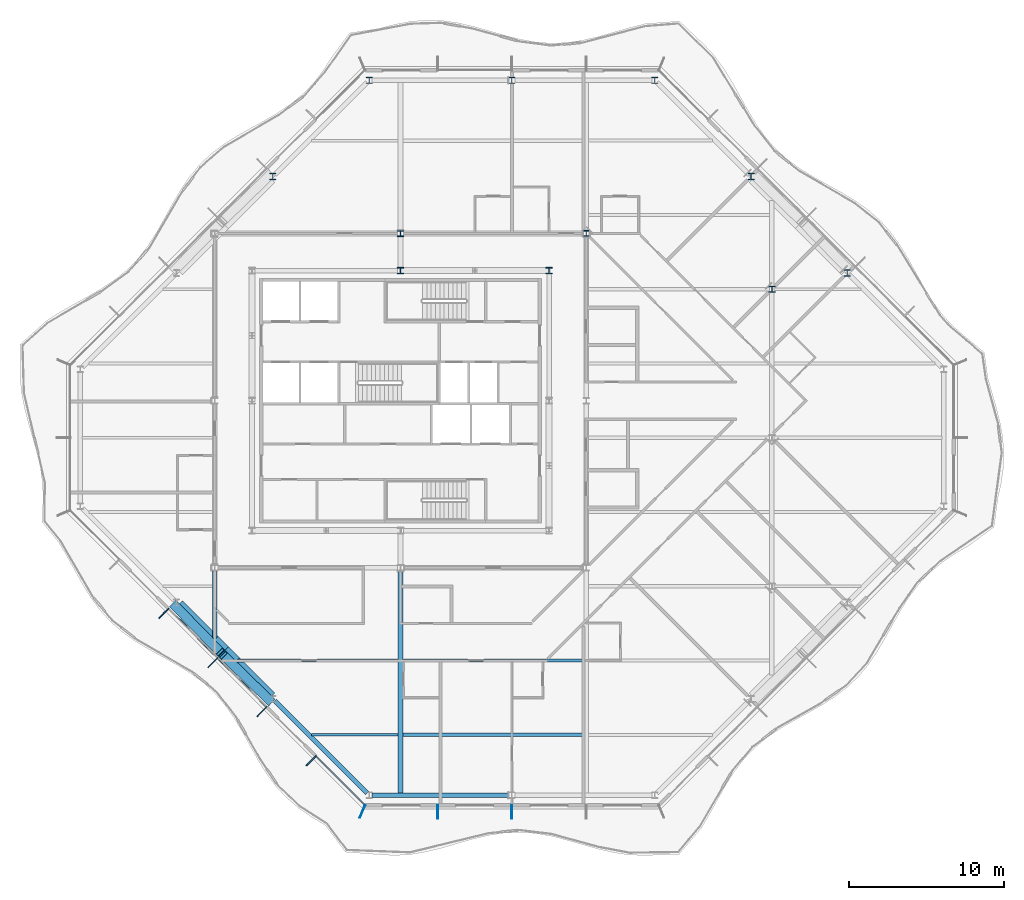
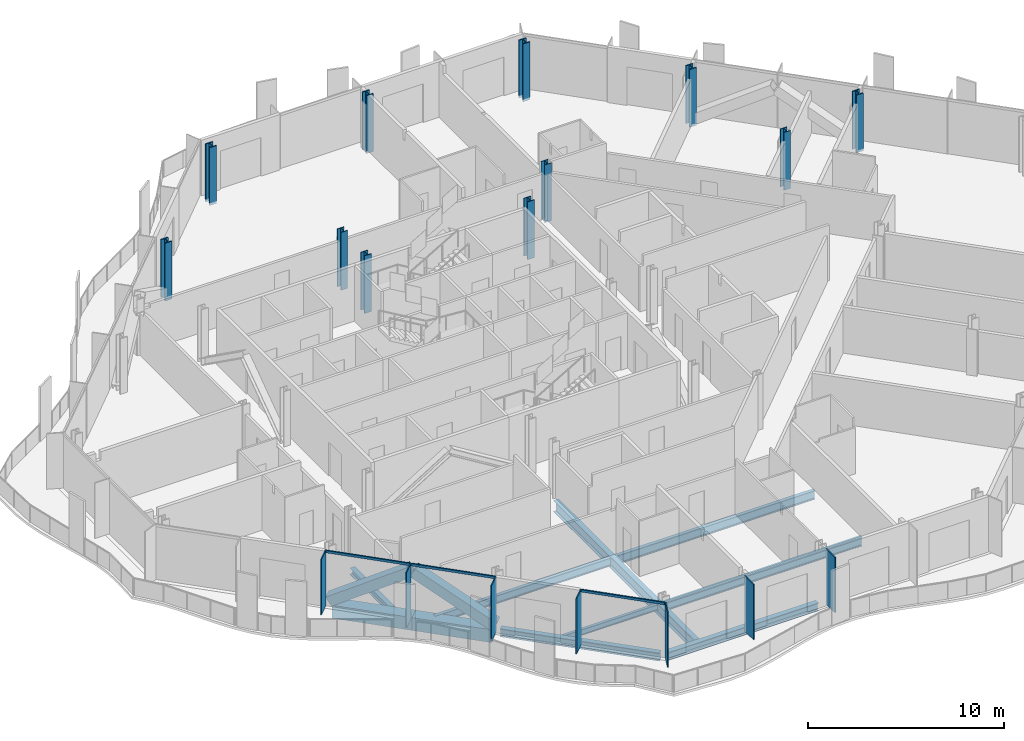
# One storey, part 2 of 17: 12 members, 11 columns, 10 beams, 2 elements without a shape of their own.
"""IFC4 building model written with IfcOpenShell, lengths in metres."""

from ifc_helpers import new_model, si_unit, direction, frame, origin, origin_2d, place, context, subcontext, project, spatial, rectangle, hollow_rectangle, i_section, extrude, material, material_profile, profile_set, type_object, element, aggregate, save


model = new_model("IFC4")

# Units and contexts
model_context = context("Model", 3, precision=1e-05, world=origin(), true_north=direction((0.0, 1.0)))
body_context = subcontext(model_context, "Body", "Model", "MODEL_VIEW")
ifc_project = project(units=[si_unit("LENGTHUNIT", "METRE"), si_unit("AREAUNIT", "SQUARE_METRE"), si_unit("VOLUMEUNIT", "CUBIC_METRE"), si_unit("PLANEANGLEUNIT", "RADIAN"), si_unit("MASSUNIT", "GRAM", prefix="KILO")], contexts=[model_context])

# Site, building, storey
site_placement = place(None, origin())
site = spatial("IfcSite", under=ifc_project, at=site_placement, CompositionType="ELEMENT")
building_placement = place(site_placement, origin())
building = spatial("IfcBuilding", under=site, at=building_placement, Name="Cairn Pilgrim Tower", CompositionType="ELEMENT")
storey_placement = place(building_placement, frame((0.0, 0.0, 225.0)))
storey = spatial("IfcBuildingStorey", under=building, at=storey_placement, Name="L57", CompositionType="ELEMENT", Elevation=225.0)

# Columns
ifc_material_1 = material(Name="Structural steel S355J2", Category="steel")
ifc_material_profile_1 = material_profile(ifc_material_1, i_section(OverallWidth=0.39892578125, OverallDepth=0.39306640625, WebThickness=0.022705078125, FlangeThickness=0.03662109375, FilletRadius=0.014892578125, at=origin_2d()), Name="HD 400x287")
ifc_profile_set_1 = profile_set([ifc_material_profile_1], Name="Structural steel S355J2")
column_type_1 = type_object("IfcColumnType", Name="HD 400x287", PredefinedType="COLUMN", material=ifc_profile_set_1)
for number, where, z_axis, x_axis, name in (
    (1, (7.199951171875, 13.199951171875, -0.14990234375), (0.0, 0.0, 1.0), (1.0, 0.0, 0.0), "IC-7"),
    (2, (19.199951171875, 13.199951171875, -0.14990234375), (0.0, 0.0, 1.0), (1.0, 0.0, 0.0), "IC-8"),
    (3, (31.199951171875, 9.60009765625, -0.14990234375), (0.0, 0.0, 1.0), (1.0, 0.0, 0.0), "WC-WE+2"),
):
    element("IfcColumn", number, at=place(storey_placement, frame(where, z_axis=z_axis, x_axis=x_axis)), inside=storey, type_object=column_type_1, Name=name, PredefinedType="COLUMN", context=body_context, shape_type="SweptSolid", body=[
        extrude(i_section(OverallWidth=0.39892578125, OverallDepth=0.39306640625, WebThickness=0.022705078125, FlangeThickness=0.03662109375, FilletRadius=0.014892578125, at=origin_2d()), origin(), (0.0, 0.0, 1.0), 3.599853515625),
    ])
ifc_material_2 = material(Name="Structural steel S460M", Category="steel")
ifc_material_profile_2 = material_profile(ifc_material_2, i_section(OverallWidth=0.404052734375, OverallDepth=0.406982421875, WebThickness=0.027099609375, FlangeThickness=0.043701171875, FilletRadius=0.014892578125, at=origin_2d()), Name="HD 400x347")
ifc_profile_set_2 = profile_set([ifc_material_profile_2], Name="Structural steel S460M")
column_type_2 = type_object("IfcColumnType", Name="HD 400x347", PredefinedType="COLUMN", material=ifc_profile_set_2)
for number, where, z_axis, x_axis, name in (
    (4, (7.199951171875, 10.800048828125, -0.14990234375), (0.0, 0.0, 1.0), (1.0, 0.0, 0.0), "KC-7"),
    (5, (16.800048828125, 10.800048828125, -0.14990234375), (0.0, 0.0, 1.0), (1.0, 0.0, 0.0), "KC-8"),
):
    element("IfcColumn", number, at=place(storey_placement, frame(where, z_axis=z_axis, x_axis=x_axis)), inside=storey, type_object=column_type_2, Name=name, PredefinedType="COLUMN", context=body_context, shape_type="SweptSolid", body=[
        extrude(i_section(OverallWidth=0.404052734375, OverallDepth=0.406982421875, WebThickness=0.027099609375, FlangeThickness=0.043701171875, FilletRadius=0.014892578125, at=origin_2d()), origin(), (0.0, 0.0, 1.0), 3.599853515625),
    ])
ifc_material_profile_3 = material_profile(ifc_material_2, i_section(OverallWidth=0.416015625, OverallDepth=0.446044921875, WebThickness=0.0390625, FlangeThickness=0.062744140625, FilletRadius=0.014892578125, at=origin_2d()), Name="HD 400x509")
ifc_profile_set_3 = profile_set([ifc_material_profile_3], Name="Structural steel S460M")
column_type_3 = type_object("IfcColumnType", Name="HD 400x509", PredefinedType="COLUMN", material=ifc_profile_set_3)
for number, where, z_axis, x_axis, name in (
    (6, (36.07568359375, 10.651611328125, -0.14990234375), (0.0, 0.0, 1.0), (1.0, 0.0, 0.0), "PC3-NE2"),
    (7, (29.8515625, 16.875732421875, -0.14990234375), (0.0, 0.0, 1.0), (1.0, 0.0, 0.0), "PC3-NE3"),
    (8, (23.627197265625, 23.10009765625, -0.14990234375), (0.0, 0.0, 1.0), (1.0, 0.0, 0.0), "PC3-N1"),
    (9, (14.39990234375, 23.10009765625, -0.14990234375), (0.0, 0.0, 1.0), (1.0, 0.0, 0.0), "PC3-N2"),
    (10, (5.1728515625, 23.10009765625, -0.14990234375), (0.0, 0.0, 1.0), (1.0, 0.0, 0.0), "PC3-NW1"),
    (11, (-1.051513671875, 16.875732421875, -0.14990234375), (0.0, 0.0, 1.0), (1.0, 0.0, 0.0), "PC3-NW2"),
):
    element("IfcColumn", number, at=place(storey_placement, frame(where, z_axis=z_axis, x_axis=x_axis)), inside=storey, type_object=column_type_3, Name=name, PredefinedType="COLUMN", context=body_context, shape_type="SweptSolid", body=[
        extrude(i_section(OverallWidth=0.416015625, OverallDepth=0.446044921875, WebThickness=0.0390625, FlangeThickness=0.062744140625, FilletRadius=0.014892578125, at=origin_2d()), origin(), (0.0, 0.0, 1.0), 3.599853515625),
    ])

# Members
ifc_material_profile_4 = material_profile(ifc_material_2, hollow_rectangle(XDim=0.60009765625, YDim=0.60009765625, WallThickness=0.034912109375, at=origin_2d()), Name="BOX 600x600x35")
ifc_profile_set_4 = profile_set([ifc_material_profile_4], Name="Structural steel S460M")
member_type_1 = type_object("IfcMemberType", Name="BOX 600x600x35 BRACE", PredefinedType="BRACE", material=ifc_profile_set_4)
member_1_placement = place(storey_placement, frame((-7.4013671875, -10.823974609375, 0.14990234375), z_axis=(0.59476326853, -0.609993709431, 0.523607036681), x_axis=(0.715988756584, 0.698111810848, 0.0)))
element("IfcMember", 12, at=member_1_placement, inside=storey, type_object=member_type_1, Name="XB-SW2-SW3-1", PredefinedType="BRACE", context=body_context, shape_type="SweptSolid", body=[
    extrude(hollow_rectangle(XDim=0.60009765625, YDim=0.60009765625, WallThickness=0.034912109375, at=origin_2d()), origin(), (0.0, 0.0, 1.0), 5.033447265625),
])
member_2_placement = place(storey_placement, frame((-1.22412109375, -17.00146484375, 0.14990234375), z_axis=(-0.609963251675, 0.594780866166, 0.523622528973), x_axis=(-0.698140268834, -0.71596100804, 0.0)))
element("IfcMember", 13, at=member_2_placement, inside=storey, type_object=member_type_1, Name="XB-SW2-SW3-2", PredefinedType="BRACE", context=body_context, shape_type="SweptSolid", body=[
    extrude(hollow_rectangle(XDim=0.60009765625, YDim=0.60009765625, WallThickness=0.034912109375, at=origin_2d()), origin(), (0.0, 0.0, 1.0), 5.033203125),
])

# Beams
ifc_material_profile_5 = material_profile(ifc_material_1, hollow_rectangle(XDim=0.699951171875, YDim=0.800048828125, WallThickness=0.0400390625, at=origin_2d()), Name="BOX 700x800x40")
ifc_profile_set_5 = profile_set([ifc_material_profile_5], Name="Structural steel S355J2")
beam_type_1 = type_object("IfcBeamType", Name="BOX 700x800x40 RING GIRDER", PredefinedType="SPANDREL", material=ifc_profile_set_5)
beam_1_placement = place(storey_placement, frame((-7.143310546875, -10.78369140625, -0.550048828125), z_axis=(0.707077813866, -0.707135747321, 0.0), x_axis=(0.707135747321, 0.707077813866, 0.0)))
element("IfcBeam", 14, at=beam_1_placement, inside=storey, type_object=beam_type_1, Name="RG3-SW2-SW3-1", PredefinedType="SPANDREL", context=body_context, shape_type="SweptSolid", body=[
    extrude(hollow_rectangle(XDim=0.699951171875, YDim=0.800048828125, WallThickness=0.0400390625, at=origin_2d()), origin(), (0.0, 0.0, 1.0), 4.214111328125),
])
beam_2_placement = place(storey_placement, frame((-4.16357421875, -13.763671875, -0.550048828125), z_axis=(0.707106781187, -0.707106781187, 0.0), x_axis=(0.707106781187, 0.707106781187, 0.0)))
element("IfcBeam", 15, at=beam_2_placement, inside=storey, type_object=beam_type_1, Name="RG3-SW2-SW3-2", PredefinedType="SPANDREL", context=body_context, shape_type="SweptSolid", body=[
    extrude(hollow_rectangle(XDim=0.699951171875, YDim=0.800048828125, WallThickness=0.0400390625, at=origin_2d()), origin(), (0.0, 0.0, 1.0), 4.2138671875),
])

# Curtain wall, members
ifc_material_3 = material(Name="Aluminium alloy 6063-T6 bronze anodised with Bronze tinted laminated low-E glass 8+16+8.8", Category="aluminium")
curtain_wall_type_1 = type_object("IfcCurtainWallType", Name="TOWER STICK CURTAIN WALL NS", PredefinedType="NOTDEFINED", material=ifc_material_3)
curtain_wall_1_placement = place(storey_placement, origin())
curtain_wall_1 = element("IfcCurtainWall", 16, at=curtain_wall_1_placement, inside=storey, type_object=curtain_wall_type_1, Name="Tower Stick Curtain Wall Ns S", PredefinedType="NOTDEFINED")
ifc_material_4 = material(Name="Aluminium alloy 6063-T6 bronze anodised", Category="aluminium")
ifc_material_profile_6 = material_profile(ifc_material_4, rectangle(XDim=0.89990234375, YDim=0.06005859375, at=origin_2d()), Name="FIN MULLION 60x900 BRONZE")
ifc_profile_set_6 = profile_set([ifc_material_profile_6], Name="Aluminium alloy 6063-T6 bronze anodised")
member_type_2 = type_object("IfcMemberType", Name="FIN MULLION 60x900 BRONZE", PredefinedType="MULLION", material=ifc_profile_set_6)
member_3_placement = place(storey_placement, frame((4.742919921875, -24.137939453125, 0.0), z_axis=(0.0, 0.0, 1.0), x_axis=(-0.382683432365, -0.923879532511, 0.0)))
member_3 = element("IfcMember", 17, at=member_3_placement, type_object=member_type_2, Name="Fin mullion S1", PredefinedType="MULLION", context=body_context, shape_type="SweptSolid", body=[
    extrude(rectangle(XDim=0.89990234375, YDim=0.06005859375, at=origin_2d()), origin(), (0.0, 0.0, 1.0), 3.449951171875),
])
member_4_placement = place(storey_placement, frame((9.60009765625, -24.169921875, 0.0), z_axis=(0.0, 0.0, 1.0), x_axis=(0.0, -1.0, 0.0)))
member_4 = element("IfcMember", 18, at=member_4_placement, type_object=member_type_2, Name="Fin mullion S2", PredefinedType="MULLION", context=body_context, shape_type="SweptSolid", body=[
    extrude(rectangle(XDim=0.89990234375, YDim=0.06005859375, at=origin_2d()), origin(), (0.0, 0.0, 1.0), 3.449951171875),
])
member_5_placement = place(storey_placement, frame((14.39990234375, -24.169921875, 0.0), z_axis=(0.0, 0.0, 1.0), x_axis=(0.0, -1.0, 0.0)))
member_5 = element("IfcMember", 19, at=member_5_placement, type_object=member_type_2, Name="Fin mullion S3", PredefinedType="MULLION", context=body_context, shape_type="SweptSolid", body=[
    extrude(rectangle(XDim=0.89990234375, YDim=0.06005859375, at=origin_2d()), origin(), (0.0, 0.0, 1.0), 3.449951171875),
])
aggregate(curtain_wall_1, [member_3, member_4, member_5])

curtain_wall_type_2 = type_object("IfcCurtainWallType", Name="CHAMFER CORNER CURTAIN WALL", PredefinedType="NOTDEFINED", material=ifc_material_3)
curtain_wall_2_placement = place(storey_placement, origin())
curtain_wall_2 = element("IfcCurtainWall", 20, at=curtain_wall_2_placement, inside=storey, type_object=curtain_wall_type_2, Name="Chamfer Corner Curtain Wall SW", PredefinedType="NOTDEFINED")
member_6_placement = place(storey_placement, frame((-8.095703125, -11.3447265625, 0.0), z_axis=(0.0, 0.0, 1.0), x_axis=(-0.707106781187, -0.707106781187, 0.0)))
member_6 = element("IfcMember", 21, at=member_6_placement, type_object=member_type_2, Name="Fin mullion SW3", PredefinedType="MULLION", context=body_context, shape_type="SweptSolid", body=[
    extrude(rectangle(XDim=0.89990234375, YDim=0.06005859375, at=origin_2d()), origin(), (0.0, 0.0, 1.0), 3.449951171875),
])
member_7_placement = place(storey_placement, frame((-4.920166015625, -14.520263671875, 0.0), z_axis=(0.0, 0.0, 1.0), x_axis=(-0.707106781187, -0.707106781187, 0.0)))
member_7 = element("IfcMember", 22, at=member_7_placement, type_object=member_type_2, Name="Fin mullion SW4", PredefinedType="MULLION", context=body_context, shape_type="SweptSolid", body=[
    extrude(rectangle(XDim=0.89990234375, YDim=0.06005859375, at=origin_2d()), origin(), (0.0, 0.0, 1.0), 3.449951171875),
])
member_8_placement = place(storey_placement, frame((-1.74462890625, -17.69580078125, 0.0), z_axis=(0.0, 0.0, 1.0), x_axis=(-0.707106781187, -0.707106781187, 0.0)))
member_8 = element("IfcMember", 23, at=member_8_placement, type_object=member_type_2, Name="Fin mullion SW5", PredefinedType="MULLION", context=body_context, shape_type="SweptSolid", body=[
    extrude(rectangle(XDim=0.89990234375, YDim=0.06005859375, at=origin_2d()), origin(), (0.0, 0.0, 1.0), 3.449951171875),
])
member_9_placement = place(storey_placement, frame((1.430908203125, -20.871337890625, 0.0), z_axis=(0.0, 0.0, 1.0), x_axis=(-0.707106781187, -0.707106781187, 0.0)))
member_9 = element("IfcMember", 24, at=member_9_placement, type_object=member_type_2, Name="Fin mullion SW6", PredefinedType="MULLION", context=body_context, shape_type="SweptSolid", body=[
    extrude(rectangle(XDim=0.89990234375, YDim=0.06005859375, at=origin_2d()), origin(), (0.0, 0.0, 1.0), 3.449951171875),
])

# Beams
ifc_material_profile_7 = material_profile(ifc_material_1, i_section(OverallWidth=0.300048828125, OverallDepth=0.39990234375, WebThickness=0.013427734375, FlangeThickness=0.02392578125, FilletRadius=0.027099609375, at=origin_2d()), Name="HEB 400")
ifc_profile_set_7 = profile_set([ifc_material_profile_7], Name="Structural steel S355J2")
beam_type_2 = type_object("IfcBeamType", Name="HEB 400 GIRDER", PredefinedType="BEAM", material=ifc_profile_set_7)
beam_3_placement = place(storey_placement, frame((-4.800048828125, -12.945068359375, -0.35009765625), z_axis=(0.0, 1.0, 0.0), x_axis=(-1.0, 0.0, 0.0)))
element("IfcBeam", 25, at=beam_3_placement, inside=storey, type_object=beam_type_2, Name="PG2-1", PredefinedType="BEAM", context=body_context, shape_type="SweptSolid", body=[
    extrude(i_section(OverallWidth=0.300048828125, OverallDepth=0.39990234375, WebThickness=0.013427734375, FlangeThickness=0.02392578125, FilletRadius=0.027099609375, at=origin_2d()), origin(), (0.0, 0.0, 1.0), 4.345458984375),
])
ifc_material_profile_8 = material_profile(ifc_material_1, i_section(OverallWidth=0.300048828125, OverallDepth=0.5, WebThickness=0.014404296875, FlangeThickness=0.028076171875, FilletRadius=0.027099609375, at=origin_2d()), Name="HEB 500")
ifc_profile_set_8 = profile_set([ifc_material_profile_8], Name="Structural steel S355J2")
beam_type_3 = type_object("IfcBeamType", Name="HEB 500 RING GIRDER", PredefinedType="SPANDREL", material=ifc_profile_set_8)
beam_4_placement = place(storey_placement, frame((5.360107421875, -23.10009765625, -0.39990234375), z_axis=(1.0, 0.0, 0.0), x_axis=(0.0, 1.0, 0.0)))
element("IfcBeam", 26, at=beam_4_placement, inside=storey, type_object=beam_type_3, Name="RG3-S1-S2", PredefinedType="SPANDREL", context=body_context, shape_type="SweptSolid", body=[
    extrude(i_section(OverallWidth=0.300048828125, OverallDepth=0.5, WebThickness=0.014404296875, FlangeThickness=0.028076171875, FilletRadius=0.027099609375, at=origin_2d()), origin(), (0.0, 0.0, 1.0), 8.852783203125),
])
beam_5_placement = place(storey_placement, frame((-0.919189453125, -17.008056640625, -0.39990234375), z_axis=(0.707106781187, -0.707106781187, 0.0), x_axis=(0.707106781187, 0.707106781187, 0.0)))
element("IfcBeam", 27, at=beam_5_placement, inside=storey, type_object=beam_type_3, Name="RG3-SW3-S1", PredefinedType="SPANDREL", context=body_context, shape_type="SweptSolid", body=[
    extrude(i_section(OverallWidth=0.300048828125, OverallDepth=0.5, WebThickness=0.014404296875, FlangeThickness=0.028076171875, FilletRadius=0.027099609375, at=origin_2d()), origin(), (0.0, 0.0, 1.0), 8.427978515625),
])
ifc_material_profile_9 = material_profile(ifc_material_1, i_section(OverallWidth=0.300048828125, OverallDepth=0.699951171875, WebThickness=0.01708984375, FlangeThickness=0.031982421875, FilletRadius=0.027099609375, at=origin_2d()), Name="HEB 700")
ifc_profile_set_9 = profile_set([ifc_material_profile_9], Name="Structural steel S355J2")
beam_type_4 = type_object("IfcBeamType", Name="HEB 700 GIRDER", PredefinedType="BEAM", material=ifc_profile_set_9)
beam_6_placement = place(storey_placement, frame((7.199951171875, -22.97998046875, -0.5), z_axis=(0.0, 1.0, 0.0), x_axis=(-1.0, 0.0, 0.0)))
element("IfcBeam", 28, at=beam_6_placement, inside=storey, type_object=beam_type_4, Name="PG3-1", PredefinedType="BEAM", context=body_context, shape_type="SweptSolid", body=[
    extrude(i_section(OverallWidth=0.300048828125, OverallDepth=0.699951171875, WebThickness=0.01708984375, FlangeThickness=0.031982421875, FilletRadius=0.027099609375, at=origin_2d()), origin(), (0.0, 0.0, 1.0), 14.38037109375),
])
ifc_material_profile_10 = material_profile(ifc_material_1, i_section(OverallWidth=0.169921875, OverallDepth=0.360107421875, WebThickness=0.008056640625, FlangeThickness=0.0126953125, FilletRadius=0.01806640625, at=origin_2d()), Name="IPE 360")
ifc_profile_set_10 = profile_set([ifc_material_profile_10], Name="Structural steel S355J2")
beam_type_5 = type_object("IfcBeamType", Name="IPE 360 SECONDARY BEAM", PredefinedType="JOIST", material=ifc_profile_set_10)
beam_7_placement = place(storey_placement, frame((1.454833984375, -19.199951171875, -0.330078125), z_axis=(1.0, 0.0, 0.0), x_axis=(0.0, 1.0, 0.0)))
element("IfcBeam", 29, at=beam_7_placement, inside=storey, type_object=beam_type_5, Name="SB1-1", PredefinedType="JOIST", context=body_context, shape_type="SweptSolid", body=[
    extrude(i_section(OverallWidth=0.169921875, OverallDepth=0.360107421875, WebThickness=0.008056640625, FlangeThickness=0.0126953125, FilletRadius=0.01806640625, at=origin_2d()), origin(), (0.0, 0.0, 1.0), 5.59521484375),
])
ifc_material_profile_11 = material_profile(ifc_material_1, i_section(OverallWidth=0.199951171875, OverallDepth=0.5, WebThickness=0.01025390625, FlangeThickness=0.01611328125, FilletRadius=0.02099609375, at=origin_2d()), Name="IPE 500")
ifc_profile_set_11 = profile_set([ifc_material_profile_11], Name="Structural steel S355J2")
beam_type_6 = type_object("IfcBeamType", Name="IPE 500 SECONDARY BEAM", PredefinedType="JOIST", material=ifc_profile_set_11)
beam_8_placement = place(storey_placement, frame((-3.34521484375, -14.39990234375, -0.39990234375), z_axis=(1.0, 0.0, 0.0), x_axis=(0.0, 1.0, 0.0)))
element("IfcBeam", 30, at=beam_8_placement, inside=storey, type_object=beam_type_6, Name="SB2-1", PredefinedType="JOIST", context=body_context, shape_type="SweptSolid", body=[
    extrude(i_section(OverallWidth=0.199951171875, OverallDepth=0.5, WebThickness=0.01025390625, FlangeThickness=0.01611328125, FilletRadius=0.02099609375, at=origin_2d()), origin(), (0.0, 0.0, 1.0), 10.395263671875),
])
ifc_material_profile_12 = material_profile(ifc_material_1, i_section(OverallWidth=0.2099609375, OverallDepth=0.550048828125, WebThickness=0.010986328125, FlangeThickness=0.01708984375, FilletRadius=0.02392578125, at=origin_2d()), Name="IPE 550")
ifc_profile_set_12 = profile_set([ifc_material_profile_12], Name="Structural steel S355J2")
beam_type_7 = type_object("IfcBeamType", Name="IPE 550 SECONDARY BEAM", PredefinedType="JOIST", material=ifc_profile_set_12)
for number, where, z_axis, x_axis, name in (
    (31, (7.35009765625, -19.199951171875, -0.425048828125), (1.0, 0.0, 0.0), (0.0, 1.0, 0.0), "SB1-2"),
    (32, (7.35009765625, -14.39990234375, -0.425048828125), (1.0, 0.0, 0.0), (0.0, 1.0, 0.0), "SB2-2"),
):
    element("IfcBeam", number, at=place(storey_placement, frame(where, z_axis=z_axis, x_axis=x_axis)), inside=storey, type_object=beam_type_7, Name=name, PredefinedType="JOIST", context=body_context, shape_type="SweptSolid", body=[
        extrude(i_section(OverallWidth=0.2099609375, OverallDepth=0.550048828125, WebThickness=0.010986328125, FlangeThickness=0.01708984375, FilletRadius=0.02392578125, at=origin_2d()), origin(), (0.0, 0.0, 1.0), 11.699951171875),
    ])

# Member
ifc_material_profile_13 = material_profile(ifc_material_4, rectangle(XDim=0.080078125, YDim=0.14990234375, at=origin_2d()), Name="TRANSOM 80x150 BRONZE")
ifc_profile_set_13 = profile_set([ifc_material_profile_13], Name="Aluminium alloy 6063-T6 bronze anodised")
member_type_3 = type_object("IfcMemberType", Name="TRANSOM 80x150 BRONZE", PredefinedType="USERDEFINED", material=ifc_profile_set_13)
member_10_placement = place(storey_placement, frame((-7.777587890625, -11.06884765625, 3.375), z_axis=(0.707106781187, -0.707106781187, 0.0), x_axis=(0.707106781187, 0.707106781187, 0.0)))
member_10 = element("IfcMember", 33, at=member_10_placement, type_object=member_type_3, Name="Transom SW3", ObjectType="TRANSOM", PredefinedType="USERDEFINED", context=body_context, shape_type="SweptSolid", body=[
    extrude(rectangle(XDim=0.080078125, YDim=0.14990234375, at=origin_2d()), origin(), (0.0, 0.0, 1.0), 4.430908203125),
])

member_11_placement = place(storey_placement, frame((-4.60205078125, -14.244384765625, 3.375), z_axis=(0.707106781187, -0.707106781187, 0.0), x_axis=(0.707106781187, 0.707106781187, 0.0)))
member_11 = element("IfcMember", 34, at=member_11_placement, type_object=member_type_3, Name="Transom SW4", ObjectType="TRANSOM", PredefinedType="USERDEFINED", context=body_context, shape_type="SweptSolid", body=[
    extrude(rectangle(XDim=0.080078125, YDim=0.14990234375, at=origin_2d()), origin(), (0.0, 0.0, 1.0), 4.43115234375),
])

member_12_placement = place(storey_placement, frame((1.749267578125, -20.595703125, 3.375), z_axis=(0.707106781187, -0.707106781187, 0.0), x_axis=(0.707106781187, 0.707106781187, 0.0)))
member_12 = element("IfcMember", 35, at=member_12_placement, type_object=member_type_3, Name="Transom SW6", ObjectType="TRANSOM", PredefinedType="USERDEFINED", context=body_context, shape_type="SweptSolid", body=[
    extrude(rectangle(XDim=0.080078125, YDim=0.14990234375, at=origin_2d()), origin(), (0.0, 0.0, 1.0), 4.4208984375),
])

aggregate(curtain_wall_2, [member_6, member_7, member_8, member_9, member_10, member_11, member_12])

save(model, "model.ifc")
